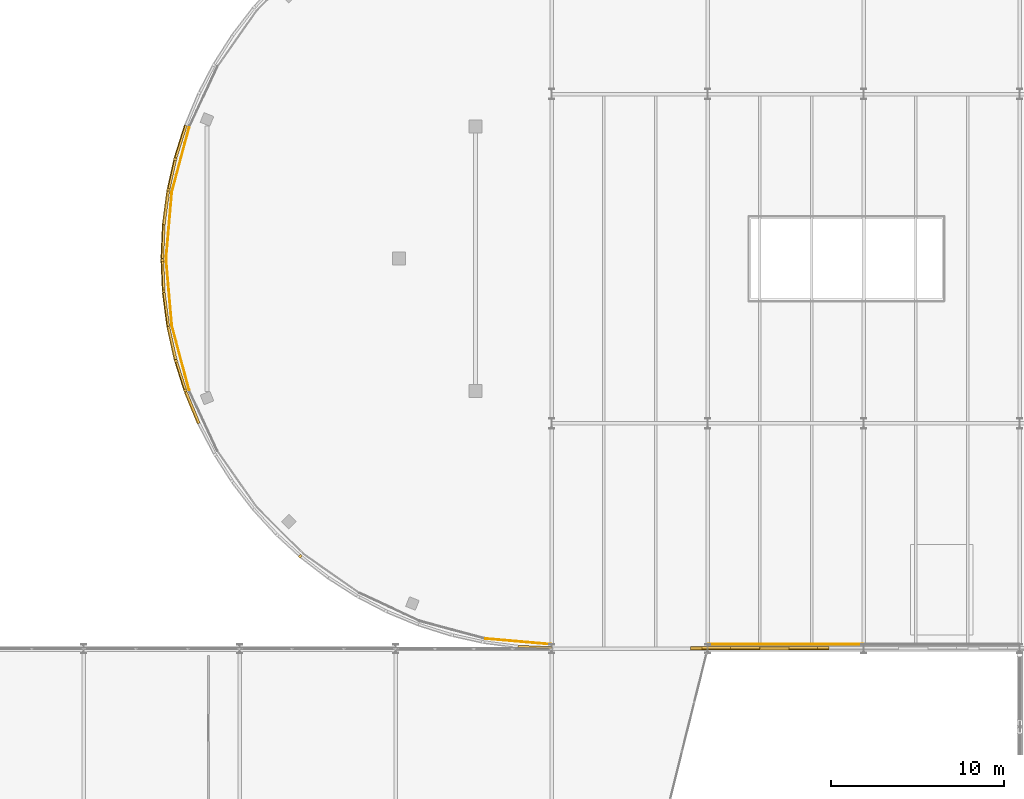
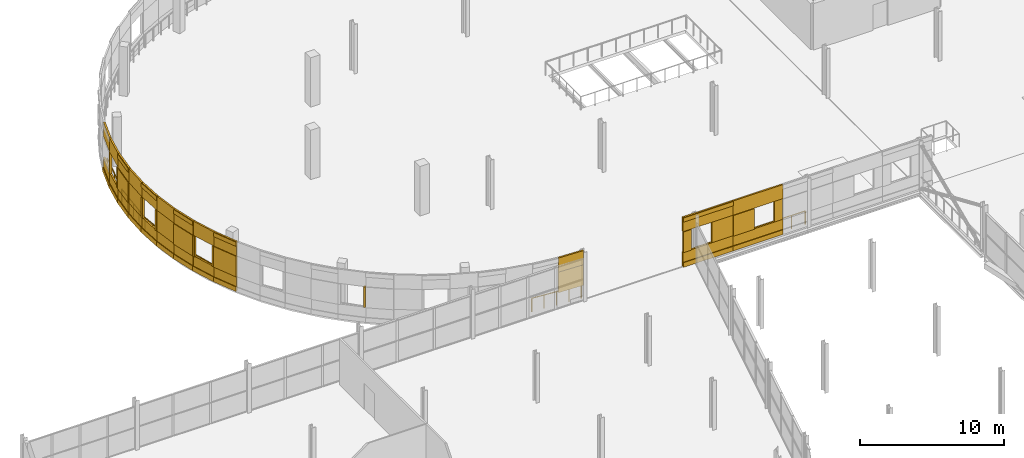
# One storey, part 121 of 132: 56 coverings, 6 railings.
"""IFC4 building model written with IfcOpenShell, lengths in metres."""

from ifc_helpers import new_model, si_unit, direction, frame, origin, origin_2d, place, context, subcontext, project, spatial, rectangle, circle, extrude, material, layer, layer_set, type_object, element, save


model = new_model("IFC4")

# Units and contexts
model_context = context("Model", 3, precision=1e-05, world=origin(), true_north=direction((0.0, 1.0)))
body_context = subcontext(model_context, "Body", "Model", "MODEL_VIEW")
ifc_project = project(units=[si_unit("LENGTHUNIT", "METRE"), si_unit("AREAUNIT", "SQUARE_METRE"), si_unit("VOLUMEUNIT", "CUBIC_METRE"), si_unit("PLANEANGLEUNIT", "RADIAN"), si_unit("MASSUNIT", "GRAM", prefix="KILO")], contexts=[model_context])

# Site, building, storey
site_placement = place(None, origin())
site = spatial("IfcSite", under=ifc_project, at=site_placement, CompositionType="ELEMENT")
building_placement = place(site_placement, origin())
building = spatial("IfcBuilding", under=site, at=building_placement, Name="Deido Ridge Mobility Hub", CompositionType="ELEMENT")
storey_placement = place(building_placement, frame((0.0, 0.0, 8.39990234375)))
storey = spatial("IfcBuildingStorey", under=building, at=storey_placement, Name="L02", CompositionType="ELEMENT", Elevation=8.39990234375)

# Coverings
ifc_material_1 = material(Name="Fired clay brick masonry", Category="masonry")
ifc_layer = layer(ifc_material_1, 0.114990234375, Name="Fired clay brick masonry")
ifc_layer_set = layer_set([ifc_layer], Name="Fired clay brick masonry")
covering_type = type_object("IfcCoveringType", Name="COV-BRK-SCREEN-115", PredefinedType="CLADDING", material=ifc_layer_set)
covering_1_placement = place(storey_placement, frame((23.61181640625, 110.24365234375, 0.0), z_axis=(0.0, 0.0, 1.0), x_axis=(-0.300672508319, -0.95372744678, 0.0)))
element("IfcCovering", 1, at=covering_1_placement, inside=storey, type_object=covering_type, Name="Open brickwork spandrel course BKS1 (L02)", PredefinedType="CLADDING", context=body_context, shape_type="SweptSolid", body=[
    extrude(rectangle(XDim=1.9619140625, YDim=0.125, at=origin_2d()), origin(), (0.0, 0.0, 1.0), 1.25),
])
covering_2_placement = place(storey_placement, frame((23.585693359375, 110.251953125, 0.000244140625), z_axis=(0.0, 0.0, 1.0), x_axis=(-0.300672508319, -0.95372744678, 0.0)))
element("IfcCovering", 2, at=covering_2_placement, inside=storey, type_object=covering_type, Name="Raised brick relief belt BKS1 (L02)", PredefinedType="CLADDING", context=body_context, shape_type="SweptSolid", body=[
    extrude(rectangle(XDim=1.9619140625, YDim=0.179931640625, at=origin_2d()), origin(), (0.0, 0.0, 1.0), 0.39990234375),
])
covering_3_placement = place(storey_placement, frame((23.61181640625, 110.24365234375, 3.0), z_axis=(0.0, 0.0, 1.0), x_axis=(-0.300672508319, -0.95372744678, 0.0)))
element("IfcCovering", 3, at=covering_3_placement, inside=storey, type_object=covering_type, Name="Open brickwork lintel course BKS1 (L02)", PredefinedType="CLADDING", context=body_context, shape_type="SweptSolid", body=[
    extrude(rectangle(XDim=1.9619140625, YDim=0.125, at=origin_2d()), origin(), (0.0, 0.0, 1.0), 1.199951171875),
])
covering_4_placement = place(storey_placement, frame((23.10546875, 108.35400390625, 0.0), z_axis=(0.0, 0.0, 1.0), x_axis=(-0.216456653485, -0.976292229387, 0.0)))
element("IfcCovering", 4, at=covering_4_placement, inside=storey, type_object=covering_type, Name="Open brickwork spandrel course BKS1 (L02)", PredefinedType="CLADDING", context=body_context, shape_type="SweptSolid", body=[
    extrude(rectangle(XDim=1.9619140625, YDim=0.125, at=origin_2d()), origin(), (0.0, 0.0, 1.0), 1.25),
])
covering_5_placement = place(storey_placement, frame((23.07861328125, 108.35986328125, 0.000244140625), z_axis=(0.0, 0.0, 1.0), x_axis=(-0.216456653485, -0.976292229387, 0.0)))
element("IfcCovering", 5, at=covering_5_placement, inside=storey, type_object=covering_type, Name="Raised brick relief belt BKS1 (L02)", PredefinedType="CLADDING", context=body_context, shape_type="SweptSolid", body=[
    extrude(rectangle(XDim=1.9619140625, YDim=0.179931640625, at=origin_2d()), origin(), (0.0, 0.0, 1.0), 0.39990234375),
])
covering_6_placement = place(storey_placement, frame((23.10546875, 108.35400390625, 3.0), z_axis=(0.0, 0.0, 1.0), x_axis=(-0.216456653485, -0.976292229387, 0.0)))
element("IfcCovering", 6, at=covering_6_placement, inside=storey, type_object=covering_type, Name="Open brickwork lintel course BKS1 (L02)", PredefinedType="CLADDING", context=body_context, shape_type="SweptSolid", body=[
    extrude(rectangle(XDim=1.9619140625, YDim=0.125, at=origin_2d()), origin(), (0.0, 0.0, 1.0), 1.199951171875),
])
for number, where, z_axis, x_axis, name in (
    (7, (23.273681640625, 109.239501953125, 1.25), (0.0, 0.0, 1.0), (-0.216456653485, -0.976292229387, 0.0), "Curved brick jamb nib BKS1 (L02)"),
    (8, (22.883544921875, 107.480224609375, 1.25), (0.0, 0.0, 1.0), (-0.216456653485, -0.976292229387, 0.0), "Curved brick jamb nib BKS1 (L02)"),
):
    element("IfcCovering", number, at=place(storey_placement, frame(where, z_axis=z_axis, x_axis=x_axis)), inside=storey, type_object=covering_type, Name=name, PredefinedType="CLADDING", context=body_context, shape_type="SweptSolid", body=[
        extrude(rectangle(XDim=0.152099609375, YDim=0.179931640625, at=origin_2d()), origin(), (0.0, 0.0, 1.0), 1.75),
    ])
covering_7_placement = place(storey_placement, frame((22.765625, 106.42724609375, 0.0), z_axis=(0.0, 0.0, 1.0), x_axis=(-0.130543496177, -0.991442583111, 0.0)))
element("IfcCovering", 9, at=covering_7_placement, inside=storey, type_object=covering_type, Name="Open brickwork spandrel course BKS1 (L02)", PredefinedType="CLADDING", context=body_context, shape_type="SweptSolid", body=[
    extrude(rectangle(XDim=1.9619140625, YDim=0.125, at=origin_2d()), origin(), (0.0, 0.0, 1.0), 1.25),
])
covering_8_placement = place(storey_placement, frame((22.73828125, 106.430908203125, 0.000244140625), z_axis=(0.0, 0.0, 1.0), x_axis=(-0.130543496177, -0.991442583111, 0.0)))
element("IfcCovering", 10, at=covering_8_placement, inside=storey, type_object=covering_type, Name="Raised brick relief belt BKS1 (L02)", PredefinedType="CLADDING", context=body_context, shape_type="SweptSolid", body=[
    extrude(rectangle(XDim=1.9619140625, YDim=0.179931640625, at=origin_2d()), origin(), (0.0, 0.0, 1.0), 0.39990234375),
])
covering_9_placement = place(storey_placement, frame((22.765625, 106.42724609375, 3.0), z_axis=(0.0, 0.0, 1.0), x_axis=(-0.130543496177, -0.991442583111, 0.0)))
element("IfcCovering", 11, at=covering_9_placement, inside=storey, type_object=covering_type, Name="Open brickwork lintel course BKS1 (L02)", PredefinedType="CLADDING", context=body_context, shape_type="SweptSolid", body=[
    extrude(rectangle(XDim=1.9619140625, YDim=0.125, at=origin_2d()), origin(), (0.0, 0.0, 1.0), 1.199951171875),
])
covering_10_placement = place(storey_placement, frame((22.73828125, 106.430908203125, 3.83984375), z_axis=(0.0, 0.0, 1.0), x_axis=(-0.130543496177, -0.991442583111, 0.0)))
element("IfcCovering", 12, at=covering_10_placement, inside=storey, type_object=covering_type, Name="Raised brick relief cornice BKS1 (L02)", PredefinedType="CLADDING", context=body_context, shape_type="SweptSolid", body=[
    extrude(rectangle(XDim=1.9619140625, YDim=0.179931640625, at=origin_2d()), origin(), (0.0, 0.0, 1.0), 0.360107421875),
])
covering_11_placement = place(storey_placement, frame((22.73828125, 106.430908203125, 1.25), z_axis=(0.0, 0.0, 1.0), x_axis=(-0.130543496177, -0.991442583111, 0.0)))
element("IfcCovering", 13, at=covering_11_placement, inside=storey, type_object=covering_type, Name="Curved raised brickwork pier BKS1 (L02)", PredefinedType="CLADDING", context=body_context, shape_type="SweptSolid", body=[
    extrude(rectangle(XDim=1.9619140625, YDim=0.179931640625, at=origin_2d()), origin(), (0.0, 0.0, 1.0), 1.75),
])
covering_12_placement = place(storey_placement, frame((22.59521484375, 104.478271484375, 0.0), z_axis=(0.0, 0.0, 1.0), x_axis=(-0.043601950678, -0.999048982732, 0.0)))
element("IfcCovering", 14, at=covering_12_placement, inside=storey, type_object=covering_type, Name="Open brickwork spandrel course BKS1 (L02)", PredefinedType="CLADDING", context=body_context, shape_type="SweptSolid", body=[
    extrude(rectangle(XDim=1.9619140625, YDim=0.125, at=origin_2d()), origin(), (0.0, 0.0, 1.0), 1.25),
])
covering_13_placement = place(storey_placement, frame((22.567626953125, 104.4794921875, 0.000244140625), z_axis=(0.0, 0.0, 1.0), x_axis=(-0.043601950678, -0.999048982732, 0.0)))
element("IfcCovering", 15, at=covering_13_placement, inside=storey, type_object=covering_type, Name="Raised brick relief belt BKS1 (L02)", PredefinedType="CLADDING", context=body_context, shape_type="SweptSolid", body=[
    extrude(rectangle(XDim=1.9619140625, YDim=0.179931640625, at=origin_2d()), origin(), (0.0, 0.0, 1.0), 0.39990234375),
])
covering_14_placement = place(storey_placement, frame((22.59521484375, 104.478271484375, 3.0), z_axis=(0.0, 0.0, 1.0), x_axis=(-0.043601950678, -0.999048982732, 0.0)))
element("IfcCovering", 16, at=covering_14_placement, inside=storey, type_object=covering_type, Name="Open brickwork lintel course BKS1 (L02)", PredefinedType="CLADDING", context=body_context, shape_type="SweptSolid", body=[
    extrude(rectangle(XDim=1.9619140625, YDim=0.125, at=origin_2d()), origin(), (0.0, 0.0, 1.0), 1.199951171875),
])
covering_15_placement = place(storey_placement, frame((22.59521484375, 104.478271484375, 1.25), z_axis=(0.0, 0.0, 1.0), x_axis=(-0.043601950678, -0.999048982732, 0.0)))
element("IfcCovering", 17, at=covering_15_placement, inside=storey, type_object=covering_type, Name="Curved raised brickwork pier BKS1 (L02)", PredefinedType="CLADDING", context=body_context, shape_type="SweptSolid", body=[
    extrude(rectangle(XDim=1.9619140625, YDim=0.125, at=origin_2d()), origin(), (0.0, 0.0, 1.0), 1.75),
])
covering_16_placement = place(storey_placement, frame((22.59521484375, 102.521728515625, 0.0), z_axis=(0.0, 0.0, 1.0), x_axis=(0.043601950678, -0.999048982732, 0.0)))
element("IfcCovering", 18, at=covering_16_placement, inside=storey, type_object=covering_type, Name="Open brickwork spandrel course BKS1 (L02)", PredefinedType="CLADDING", context=body_context, shape_type="SweptSolid", body=[
    extrude(rectangle(XDim=1.9619140625, YDim=0.125, at=origin_2d()), origin(), (0.0, 0.0, 1.0), 1.25),
])
covering_17_placement = place(storey_placement, frame((22.567626953125, 102.5205078125, 0.000244140625), z_axis=(0.0, 0.0, 1.0), x_axis=(0.043601950678, -0.999048982732, 0.0)))
element("IfcCovering", 19, at=covering_17_placement, inside=storey, type_object=covering_type, Name="Raised brick relief belt BKS1 (L02)", PredefinedType="CLADDING", context=body_context, shape_type="SweptSolid", body=[
    extrude(rectangle(XDim=1.9619140625, YDim=0.179931640625, at=origin_2d()), origin(), (0.0, 0.0, 1.0), 0.39990234375),
])
covering_18_placement = place(storey_placement, frame((22.59521484375, 102.521728515625, 3.0), z_axis=(0.0, 0.0, 1.0), x_axis=(0.043601950678, -0.999048982732, 0.0)))
element("IfcCovering", 20, at=covering_18_placement, inside=storey, type_object=covering_type, Name="Open brickwork lintel course BKS1 (L02)", PredefinedType="CLADDING", context=body_context, shape_type="SweptSolid", body=[
    extrude(rectangle(XDim=1.9619140625, YDim=0.125, at=origin_2d()), origin(), (0.0, 0.0, 1.0), 1.199951171875),
])
covering_19_placement = place(storey_placement, frame((22.567626953125, 102.5205078125, 3.83984375), z_axis=(0.0, 0.0, 1.0), x_axis=(0.043601950678, -0.999048982732, 0.0)))
element("IfcCovering", 21, at=covering_19_placement, inside=storey, type_object=covering_type, Name="Raised brick relief cornice BKS1 (L02)", PredefinedType="CLADDING", context=body_context, shape_type="SweptSolid", body=[
    extrude(rectangle(XDim=1.9619140625, YDim=0.179931640625, at=origin_2d()), origin(), (0.0, 0.0, 1.0), 0.360107421875),
])
for number, where, z_axis, x_axis, name in (
    (22, (22.5283203125, 103.4208984375, 1.25), (0.0, 0.0, 1.0), (0.043601950678, -0.999048982732, 0.0), "Curved brick jamb nib BKS1 (L02)"),
    (23, (22.60693359375, 101.620361328125, 1.25), (0.0, 0.0, 1.0), (0.043601950678, -0.999048982732, 0.0), "Curved brick jamb nib BKS1 (L02)"),
):
    element("IfcCovering", number, at=place(storey_placement, frame(where, z_axis=z_axis, x_axis=x_axis)), inside=storey, type_object=covering_type, Name=name, PredefinedType="CLADDING", context=body_context, shape_type="SweptSolid", body=[
        extrude(rectangle(XDim=0.152099609375, YDim=0.179931640625, at=origin_2d()), origin(), (0.0, 0.0, 1.0), 1.75),
    ])
covering_20_placement = place(storey_placement, frame((22.765625, 100.57275390625, 0.0), z_axis=(0.0, 0.0, 1.0), x_axis=(0.130543496177, -0.991442583111, 0.0)))
element("IfcCovering", 24, at=covering_20_placement, inside=storey, type_object=covering_type, Name="Open brickwork spandrel course BKS1 (L02)", PredefinedType="CLADDING", context=body_context, shape_type="SweptSolid", body=[
    extrude(rectangle(XDim=1.9619140625, YDim=0.125, at=origin_2d()), origin(), (0.0, 0.0, 1.0), 1.25),
])
covering_21_placement = place(storey_placement, frame((22.73828125, 100.569091796875, 0.000244140625), z_axis=(0.0, 0.0, 1.0), x_axis=(0.130543496177, -0.991442583111, 0.0)))
element("IfcCovering", 25, at=covering_21_placement, inside=storey, type_object=covering_type, Name="Raised brick relief belt BKS1 (L02)", PredefinedType="CLADDING", context=body_context, shape_type="SweptSolid", body=[
    extrude(rectangle(XDim=1.9619140625, YDim=0.179931640625, at=origin_2d()), origin(), (0.0, 0.0, 1.0), 0.39990234375),
])
covering_22_placement = place(storey_placement, frame((22.765625, 100.57275390625, 3.0), z_axis=(0.0, 0.0, 1.0), x_axis=(0.130543496177, -0.991442583111, 0.0)))
element("IfcCovering", 26, at=covering_22_placement, inside=storey, type_object=covering_type, Name="Open brickwork lintel course BKS1 (L02)", PredefinedType="CLADDING", context=body_context, shape_type="SweptSolid", body=[
    extrude(rectangle(XDim=1.9619140625, YDim=0.125, at=origin_2d()), origin(), (0.0, 0.0, 1.0), 1.199951171875),
])
covering_23_placement = place(storey_placement, frame((22.765625, 100.57275390625, 1.25), z_axis=(0.0, 0.0, 1.0), x_axis=(0.130543496177, -0.991442583111, 0.0)))
element("IfcCovering", 27, at=covering_23_placement, inside=storey, type_object=covering_type, Name="Curved raised brickwork pier BKS1 (L02)", PredefinedType="CLADDING", context=body_context, shape_type="SweptSolid", body=[
    extrude(rectangle(XDim=1.9619140625, YDim=0.125, at=origin_2d()), origin(), (0.0, 0.0, 1.0), 1.75),
])
covering_24_placement = place(storey_placement, frame((23.10546875, 98.64599609375, 0.0), z_axis=(0.0, 0.0, 1.0), x_axis=(0.216456653485, -0.976292229387, 0.0)))
element("IfcCovering", 28, at=covering_24_placement, inside=storey, type_object=covering_type, Name="Open brickwork spandrel course BKS1 (L02)", PredefinedType="CLADDING", context=body_context, shape_type="SweptSolid", body=[
    extrude(rectangle(XDim=1.9619140625, YDim=0.125, at=origin_2d()), origin(), (0.0, 0.0, 1.0), 1.25),
])
covering_25_placement = place(storey_placement, frame((23.07861328125, 98.64013671875, 0.000244140625), z_axis=(0.0, 0.0, 1.0), x_axis=(0.216456653485, -0.976292229387, 0.0)))
element("IfcCovering", 29, at=covering_25_placement, inside=storey, type_object=covering_type, Name="Raised brick relief belt BKS1 (L02)", PredefinedType="CLADDING", context=body_context, shape_type="SweptSolid", body=[
    extrude(rectangle(XDim=1.9619140625, YDim=0.179931640625, at=origin_2d()), origin(), (0.0, 0.0, 1.0), 0.39990234375),
])
covering_26_placement = place(storey_placement, frame((23.10546875, 98.64599609375, 3.0), z_axis=(0.0, 0.0, 1.0), x_axis=(0.216456653485, -0.976292229387, 0.0)))
element("IfcCovering", 30, at=covering_26_placement, inside=storey, type_object=covering_type, Name="Open brickwork lintel course BKS1 (L02)", PredefinedType="CLADDING", context=body_context, shape_type="SweptSolid", body=[
    extrude(rectangle(XDim=1.9619140625, YDim=0.125, at=origin_2d()), origin(), (0.0, 0.0, 1.0), 1.199951171875),
])
covering_27_placement = place(storey_placement, frame((23.07861328125, 98.64013671875, 3.83984375), z_axis=(0.0, 0.0, 1.0), x_axis=(0.216456653485, -0.976292229387, 0.0)))
element("IfcCovering", 31, at=covering_27_placement, inside=storey, type_object=covering_type, Name="Raised brick relief cornice BKS1 (L02)", PredefinedType="CLADDING", context=body_context, shape_type="SweptSolid", body=[
    extrude(rectangle(XDim=1.9619140625, YDim=0.179931640625, at=origin_2d()), origin(), (0.0, 0.0, 1.0), 0.360107421875),
])
covering_28_placement = place(storey_placement, frame((23.07861328125, 98.64013671875, 1.25), z_axis=(0.0, 0.0, 1.0), x_axis=(0.216456653485, -0.976292229387, 0.0)))
element("IfcCovering", 32, at=covering_28_placement, inside=storey, type_object=covering_type, Name="Curved raised brickwork pier BKS1 (L02)", PredefinedType="CLADDING", context=body_context, shape_type="SweptSolid", body=[
    extrude(rectangle(XDim=1.9619140625, YDim=0.179931640625, at=origin_2d()), origin(), (0.0, 0.0, 1.0), 1.75),
])
covering_29_placement = place(storey_placement, frame((23.61181640625, 96.75634765625, 0.0), z_axis=(0.0, 0.0, 1.0), x_axis=(0.300672508319, -0.95372744678, 0.0)))
element("IfcCovering", 33, at=covering_29_placement, inside=storey, type_object=covering_type, Name="Open brickwork spandrel course BKS1 (L02)", PredefinedType="CLADDING", context=body_context, shape_type="SweptSolid", body=[
    extrude(rectangle(XDim=1.9619140625, YDim=0.125, at=origin_2d()), origin(), (0.0, 0.0, 1.0), 1.25),
])
covering_30_placement = place(storey_placement, frame((23.585693359375, 96.748046875, 0.000244140625), z_axis=(0.0, 0.0, 1.0), x_axis=(0.300672508319, -0.95372744678, 0.0)))
element("IfcCovering", 34, at=covering_30_placement, inside=storey, type_object=covering_type, Name="Raised brick relief belt BKS1 (L02)", PredefinedType="CLADDING", context=body_context, shape_type="SweptSolid", body=[
    extrude(rectangle(XDim=1.9619140625, YDim=0.179931640625, at=origin_2d()), origin(), (0.0, 0.0, 1.0), 0.39990234375),
])
covering_31_placement = place(storey_placement, frame((23.61181640625, 96.75634765625, 3.0), z_axis=(0.0, 0.0, 1.0), x_axis=(0.300672508319, -0.95372744678, 0.0)))
element("IfcCovering", 35, at=covering_31_placement, inside=storey, type_object=covering_type, Name="Open brickwork lintel course BKS1 (L02)", PredefinedType="CLADDING", context=body_context, shape_type="SweptSolid", body=[
    extrude(rectangle(XDim=1.9619140625, YDim=0.125, at=origin_2d()), origin(), (0.0, 0.0, 1.0), 1.199951171875),
])
for number, where, z_axis, x_axis, name in (
    (36, (23.314697265625, 97.607421875, 1.25), (0.0, 0.0, 1.0), (0.300672508319, -0.95372744678, 0.0), "Curved brick jamb nib BKS1 (L02)"),
    (37, (23.8564453125, 95.888671875, 1.25), (0.0, 0.0, 1.0), (0.300672508319, -0.95372744678, 0.0), "Curved brick jamb nib BKS1 (L02)"),
):
    element("IfcCovering", number, at=place(storey_placement, frame(where, z_axis=z_axis, x_axis=x_axis)), inside=storey, type_object=covering_type, Name=name, PredefinedType="CLADDING", context=body_context, shape_type="SweptSolid", body=[
        extrude(rectangle(XDim=0.152099609375, YDim=0.179931640625, at=origin_2d()), origin(), (0.0, 0.0, 1.0), 1.75),
    ])
covering_32_placement = place(storey_placement, frame((24.281005859375, 94.91796875, 0.0), z_axis=(0.0, 0.0, 1.0), x_axis=(0.382699557047, -0.923872853285, 0.0)))
element("IfcCovering", 38, at=covering_32_placement, inside=storey, type_object=covering_type, Name="Open brickwork spandrel course BKS1 (L02)", PredefinedType="CLADDING", context=body_context, shape_type="SweptSolid", body=[
    extrude(rectangle(XDim=1.9619140625, YDim=0.125, at=origin_2d()), origin(), (0.0, 0.0, 1.0), 1.25),
])
covering_33_placement = place(storey_placement, frame((24.255615234375, 94.9072265625, 0.000244140625), z_axis=(0.0, 0.0, 1.0), x_axis=(0.382699557047, -0.923872853285, 0.0)))
element("IfcCovering", 39, at=covering_33_placement, inside=storey, type_object=covering_type, Name="Raised brick relief belt BKS1 (L02)", PredefinedType="CLADDING", context=body_context, shape_type="SweptSolid", body=[
    extrude(rectangle(XDim=1.9619140625, YDim=0.179931640625, at=origin_2d()), origin(), (0.0, 0.0, 1.0), 0.39990234375),
])
covering_34_placement = place(storey_placement, frame((24.281005859375, 94.91796875, 3.0), z_axis=(0.0, 0.0, 1.0), x_axis=(0.382699557047, -0.923872853285, 0.0)))
element("IfcCovering", 40, at=covering_34_placement, inside=storey, type_object=covering_type, Name="Open brickwork lintel course BKS1 (L02)", PredefinedType="CLADDING", context=body_context, shape_type="SweptSolid", body=[
    extrude(rectangle(XDim=1.9619140625, YDim=0.125, at=origin_2d()), origin(), (0.0, 0.0, 1.0), 1.199951171875),
])
covering_35_placement = place(storey_placement, frame((24.255615234375, 94.9072265625, 3.83984375), z_axis=(0.0, 0.0, 1.0), x_axis=(0.382699557047, -0.923872853285, 0.0)))
element("IfcCovering", 41, at=covering_35_placement, inside=storey, type_object=covering_type, Name="Raised brick relief cornice BKS1 (L02)", PredefinedType="CLADDING", context=body_context, shape_type="SweptSolid", body=[
    extrude(rectangle(XDim=1.9619140625, YDim=0.179931640625, at=origin_2d()), origin(), (0.0, 0.0, 1.0), 0.360107421875),
])
covering_36_placement = place(storey_placement, frame((24.255615234375, 94.9072265625, 1.25), z_axis=(0.0, 0.0, 1.0), x_axis=(0.382699557047, -0.923872853285, 0.0)))
element("IfcCovering", 42, at=covering_36_placement, inside=storey, type_object=covering_type, Name="Curved raised brickwork pier BKS1 (L02)", PredefinedType="CLADDING", context=body_context, shape_type="SweptSolid", body=[
    extrude(rectangle(XDim=1.9619140625, YDim=0.179931640625, at=origin_2d()), origin(), (0.0, 0.0, 1.0), 1.75),
])
covering_37_placement = place(storey_placement, frame((30.494873046875, 86.336669921875, 1.25), z_axis=(0.0, 0.0, 1.0), x_axis=(0.737289127971, -0.675577339596, 0.0)))
element("IfcCovering", 43, at=covering_37_placement, inside=storey, type_object=covering_type, Name="Curved brick jamb nib BKS1 (L02)", PredefinedType="CLADDING", context=body_context, shape_type="SweptSolid", body=[
    extrude(rectangle(XDim=0.152099609375, YDim=0.179931640625, at=origin_2d()), origin(), (0.0, 0.0, 1.0), 1.75),
])
covering_38_placement = place(storey_placement, frame((44.021728515625, 81.09521484375, 3.0), z_axis=(0.0, 0.0, 1.0), x_axis=(0.999048982732, -0.043601950678, 0.0)))
element("IfcCovering", 44, at=covering_38_placement, inside=storey, type_object=covering_type, Name="Open brickwork lintel course BKS1 (L02)", PredefinedType="CLADDING", context=body_context, shape_type="SweptSolid", body=[
    extrude(rectangle(XDim=1.9619140625, YDim=0.125, at=origin_2d()), origin(), (0.0, 0.0, 1.0), 1.199951171875),
])
covering_39_placement = place(storey_placement, frame((44.021728515625, 81.09521484375, 1.25), z_axis=(0.0, 0.0, 1.0), x_axis=(0.999048982732, -0.043601950678, 0.0)))
element("IfcCovering", 45, at=covering_39_placement, inside=storey, type_object=covering_type, Name="Curved raised brickwork pier BKS1 (L02)", PredefinedType="CLADDING", context=body_context, shape_type="SweptSolid", body=[
    extrude(rectangle(XDim=1.9619140625, YDim=0.125, at=origin_2d()), origin(), (0.0, 0.0, 1.0), 1.75),
])
covering_40_placement = place(storey_placement, frame((55.0, 81.052490234375, 0.0), z_axis=(0.0, 0.0, 1.0), x_axis=(1.0, 0.0, 0.0)))
element("IfcCovering", 46, at=covering_40_placement, inside=storey, type_object=covering_type, Name="Open brickwork spandrel course BKS1 (L02)", PredefinedType="CLADDING", context=body_context, shape_type="SweptSolid", body=[
    extrude(rectangle(XDim=4.01611328125, YDim=0.125, at=origin_2d()), origin(), (0.0, 0.0, 1.0), 1.25),
])
covering_41_placement = place(storey_placement, frame((55.0, 81.02490234375, 0.000244140625), z_axis=(0.0, 0.0, 1.0), x_axis=(1.0, 0.0, 0.0)))
element("IfcCovering", 47, at=covering_41_placement, inside=storey, type_object=covering_type, Name="Raised brick relief belt BKS1 (L02)", PredefinedType="CLADDING", context=body_context, shape_type="SweptSolid", body=[
    extrude(rectangle(XDim=4.01611328125, YDim=0.179931640625, at=origin_2d()), origin(), (0.0, 0.0, 1.0), 0.39990234375),
])
covering_42_placement = place(storey_placement, frame((55.0, 81.052490234375, 3.0), z_axis=(0.0, 0.0, 1.0), x_axis=(1.0, 0.0, 0.0)))
element("IfcCovering", 48, at=covering_42_placement, inside=storey, type_object=covering_type, Name="Open brickwork lintel course BKS1 (L02)", PredefinedType="CLADDING", context=body_context, shape_type="SweptSolid", body=[
    extrude(rectangle(XDim=4.01611328125, YDim=0.125, at=origin_2d()), origin(), (0.0, 0.0, 1.0), 1.199951171875),
])
covering_43_placement = place(storey_placement, frame((55.0, 81.02490234375, 3.83984375), z_axis=(0.0, 0.0, 1.0), x_axis=(1.0, 0.0, 0.0)))
element("IfcCovering", 49, at=covering_43_placement, inside=storey, type_object=covering_type, Name="Raised brick relief cornice BKS1 (L02)", PredefinedType="CLADDING", context=body_context, shape_type="SweptSolid", body=[
    extrude(rectangle(XDim=4.01611328125, YDim=0.179931640625, at=origin_2d()), origin(), (0.0, 0.0, 1.0), 0.360107421875),
])
covering_44_placement = place(storey_placement, frame((53.327392578125, 81.02490234375, 1.25), z_axis=(0.0, 0.0, 1.0), x_axis=(1.0, 0.0, 0.0)))
element("IfcCovering", 50, at=covering_44_placement, inside=storey, type_object=covering_type, Name="Open brickwork pier BKS1 (L02)", PredefinedType="CLADDING", context=body_context, shape_type="SweptSolid", body=[
    extrude(rectangle(XDim=0.655029296875, YDim=0.179931640625, at=origin_2d()), origin(), (0.0, 0.0, 1.0), 1.75),
])
covering_45_placement = place(storey_placement, frame((56.152587890625, 81.052490234375, 1.25), z_axis=(0.0, 0.0, 1.0), x_axis=(1.0, 0.0, 0.0)))
element("IfcCovering", 51, at=covering_45_placement, inside=storey, type_object=covering_type, Name="Open brickwork pier BKS1 (L02)", PredefinedType="CLADDING", context=body_context, shape_type="SweptSolid", body=[
    extrude(rectangle(XDim=1.695068359375, YDim=0.125, at=origin_2d()), origin(), (0.0, 0.0, 1.0), 1.75),
])
covering_46_placement = place(storey_placement, frame((59.0, 81.052490234375, 0.0), z_axis=(0.0, 0.0, 1.0), x_axis=(1.0, 0.0, 0.0)))
element("IfcCovering", 52, at=covering_46_placement, inside=storey, type_object=covering_type, Name="Open brickwork spandrel course BKS1 (L02)", PredefinedType="CLADDING", context=body_context, shape_type="SweptSolid", body=[
    extrude(rectangle(XDim=4.01611328125, YDim=0.125, at=origin_2d()), origin(), (0.0, 0.0, 1.0), 1.25),
])
covering_47_placement = place(storey_placement, frame((59.0, 81.02490234375, 0.000244140625), z_axis=(0.0, 0.0, 1.0), x_axis=(1.0, 0.0, 0.0)))
element("IfcCovering", 53, at=covering_47_placement, inside=storey, type_object=covering_type, Name="Raised brick relief belt BKS1 (L02)", PredefinedType="CLADDING", context=body_context, shape_type="SweptSolid", body=[
    extrude(rectangle(XDim=4.01611328125, YDim=0.179931640625, at=origin_2d()), origin(), (0.0, 0.0, 1.0), 0.39990234375),
])
covering_48_placement = place(storey_placement, frame((59.0, 81.052490234375, 3.0), z_axis=(0.0, 0.0, 1.0), x_axis=(1.0, 0.0, 0.0)))
element("IfcCovering", 54, at=covering_48_placement, inside=storey, type_object=covering_type, Name="Open brickwork lintel course BKS1 (L02)", PredefinedType="CLADDING", context=body_context, shape_type="SweptSolid", body=[
    extrude(rectangle(XDim=4.01611328125, YDim=0.125, at=origin_2d()), origin(), (0.0, 0.0, 1.0), 1.199951171875),
])
covering_49_placement = place(storey_placement, frame((57.847412109375, 81.02490234375, 1.25), z_axis=(0.0, 0.0, 1.0), x_axis=(1.0, 0.0, 0.0)))
element("IfcCovering", 55, at=covering_49_placement, inside=storey, type_object=covering_type, Name="Open brickwork pier BKS1 (L02)", PredefinedType="CLADDING", context=body_context, shape_type="SweptSolid", body=[
    extrude(rectangle(XDim=1.695068359375, YDim=0.179931640625, at=origin_2d()), origin(), (0.0, 0.0, 1.0), 1.75),
])
covering_50_placement = place(storey_placement, frame((60.672607421875, 81.052490234375, 1.25), z_axis=(0.0, 0.0, 1.0), x_axis=(1.0, 0.0, 0.0)))
element("IfcCovering", 56, at=covering_50_placement, inside=storey, type_object=covering_type, Name="Open brickwork pier BKS1 (L02)", PredefinedType="CLADDING", context=body_context, shape_type="SweptSolid", body=[
    extrude(rectangle(XDim=0.655029296875, YDim=0.125, at=origin_2d()), origin(), (0.0, 0.0, 1.0), 1.75),
])

# Railings
ifc_material_2 = material(Name="Galvanised steel work", Category="steel")
railing_type = type_object("IfcRailingType", Name="RL-GRD-EXT-1150", PredefinedType="GUARDRAIL", material=ifc_material_2)
railing_1_placement = place(storey_placement, frame((24.081298828125, 111.0712890625, 0.0)))
element("IfcRailing", 57, at=railing_1_placement, inside=storey, type_object=railing_type, Name="Parking drum perimeter guard (L02)", PredefinedType="GUARDRAIL", context=body_context, shape_type="SweptSolid", body=[
    extrude(circle(Radius=0.02392578125, at=origin_2d()), frame((0.0, 0.0, 1.1259765625), z_axis=(-0.258774639064, -0.965937723757, 0.0), x_axis=(0.965937723757, -0.258774639064, 0.0)), (0.0, 0.0, 1.0), 3.79833984375),
    extrude(circle(Radius=0.02099609375, at=origin_2d()), origin(), (0.0, 0.0, 1.0), 1.101806640625),
    extrude(circle(Radius=0.02099609375, at=origin_2d()), frame((-0.24560546875, -0.917236328125, 0.0)), (0.0, 0.0, 1.0), 1.101806640625),
    extrude(circle(Radius=0.02099609375, at=origin_2d()), frame((-0.491455078125, -1.83447265625, 0.0)), (0.0, 0.0, 1.0), 1.101806640625),
    extrude(circle(Radius=0.02099609375, at=origin_2d()), frame((-0.7373046875, -2.751708984375, 0.0)), (0.0, 0.0, 1.0), 1.101806640625),
    extrude(circle(Radius=0.02099609375, at=origin_2d()), frame((-0.98291015625, -3.6689453125, 0.0)), (0.0, 0.0, 1.0), 1.101806640625),
])
railing_2_placement = place(storey_placement, frame((23.08447265625, 107.323974609375, 0.0)))
element("IfcRailing", 58, at=railing_2_placement, inside=storey, type_object=railing_type, Name="Parking drum perimeter guard (L02)", PredefinedType="GUARDRAIL", context=body_context, shape_type="SweptSolid", body=[
    extrude(circle(Radius=0.02392578125, at=origin_2d()), frame((0.0, 0.0, 1.1259765625), z_axis=(-0.08715100469, -0.996195112607, 0.0), x_axis=(0.996195112607, -0.08715100469, 0.0)), (0.0, 0.0, 1.0), 3.798583984375),
    extrude(circle(Radius=0.02099609375, at=origin_2d()), origin(), (0.0, 0.0, 1.0), 1.101806640625),
    extrude(circle(Radius=0.02099609375, at=origin_2d()), frame((-0.082763671875, -0.946044921875, 0.0)), (0.0, 0.0, 1.0), 1.101806640625),
    extrude(circle(Radius=0.02099609375, at=origin_2d()), frame((-0.16552734375, -1.89208984375, 0.0)), (0.0, 0.0, 1.0), 1.101806640625),
    extrude(circle(Radius=0.02099609375, at=origin_2d()), frame((-0.248291015625, -2.838134765625, 0.0)), (0.0, 0.0, 1.0), 1.101806640625),
    extrude(circle(Radius=0.02099609375, at=origin_2d()), frame((-0.3310546875, -3.7841796875, 0.0)), (0.0, 0.0, 1.0), 1.101806640625),
])
railing_3_placement = place(storey_placement, frame((22.75341796875, 103.460205078125, 0.0)))
element("IfcRailing", 59, at=railing_3_placement, inside=storey, type_object=railing_type, Name="Parking drum perimeter guard (L02)", PredefinedType="GUARDRAIL", context=body_context, shape_type="SweptSolid", body=[
    extrude(circle(Radius=0.02392578125, at=origin_2d()), frame((0.0, 0.0, 1.1259765625), z_axis=(0.08715100469, -0.996195112607, 0.0), x_axis=(0.996195112607, 0.08715100469, 0.0)), (0.0, 0.0, 1.0), 3.798583984375),
    extrude(circle(Radius=0.02099609375, at=origin_2d()), origin(), (0.0, 0.0, 1.0), 1.101806640625),
    extrude(circle(Radius=0.02099609375, at=origin_2d()), frame((0.082763671875, -0.946044921875, 0.0)), (0.0, 0.0, 1.0), 1.101806640625),
    extrude(circle(Radius=0.02099609375, at=origin_2d()), frame((0.16552734375, -1.89208984375, 0.0)), (0.0, 0.0, 1.0), 1.101806640625),
    extrude(circle(Radius=0.02099609375, at=origin_2d()), frame((0.248291015625, -2.838134765625, 0.0)), (0.0, 0.0, 1.0), 1.101806640625),
    extrude(circle(Radius=0.02099609375, at=origin_2d()), frame((0.3310546875, -3.7841796875, 0.0)), (0.0, 0.0, 1.0), 1.101806640625),
])
railing_4_placement = place(storey_placement, frame((23.098388671875, 99.59765625, 0.0)))
element("IfcRailing", 60, at=railing_4_placement, inside=storey, type_object=railing_type, Name="Parking drum perimeter guard (L02)", PredefinedType="GUARDRAIL", context=body_context, shape_type="SweptSolid", body=[
    extrude(circle(Radius=0.02392578125, at=origin_2d()), frame((0.0, 0.0, 1.1259765625), z_axis=(0.258774639064, -0.965937723757, 0.0), x_axis=(0.965937723757, 0.258774639064, 0.0)), (0.0, 0.0, 1.0), 3.79833984375),
    extrude(circle(Radius=0.02099609375, at=origin_2d()), origin(), (0.0, 0.0, 1.0), 1.101806640625),
    extrude(circle(Radius=0.02099609375, at=origin_2d()), frame((0.24560546875, -0.917236328125, 0.0)), (0.0, 0.0, 1.0), 1.101806640625),
    extrude(circle(Radius=0.02099609375, at=origin_2d()), frame((0.491455078125, -1.83447265625, 0.0)), (0.0, 0.0, 1.0), 1.101806640625),
    extrude(circle(Radius=0.02099609375, at=origin_2d()), frame((0.7373046875, -2.751708984375, 0.0)), (0.0, 0.0, 1.0), 1.101806640625),
    extrude(circle(Radius=0.02099609375, at=origin_2d()), frame((0.98291015625, -3.6689453125, 0.0)), (0.0, 0.0, 1.0), 1.101806640625),
])
railing_5_placement = place(storey_placement, frame((41.176025390625, 81.58447265625, 0.0)))
element("IfcRailing", 61, at=railing_5_placement, inside=storey, type_object=railing_type, Name="Parking drum perimeter guard (L02)", PredefinedType="GUARDRAIL", context=body_context, shape_type="SweptSolid", body=[
    extrude(circle(Radius=0.02392578125, at=origin_2d()), frame((0.0, 0.0, 1.1259765625), z_axis=(0.996195112607, -0.08715100469, 0.0), x_axis=(0.08715100469, 0.996195112607, 0.0)), (0.0, 0.0, 1.0), 3.798583984375),
    extrude(circle(Radius=0.02099609375, at=origin_2d()), origin(), (0.0, 0.0, 1.0), 1.101806640625),
    extrude(circle(Radius=0.02099609375, at=origin_2d()), frame((0.946044921875, -0.082763671875, 0.0)), (0.0, 0.0, 1.0), 1.101806640625),
    extrude(circle(Radius=0.02099609375, at=origin_2d()), frame((1.89208984375, -0.16552734375, 0.0)), (0.0, 0.0, 1.0), 1.101806640625),
    extrude(circle(Radius=0.02099609375, at=origin_2d()), frame((2.838134765625, -0.248291015625, 0.0)), (0.0, 0.0, 1.0), 1.101806640625),
    extrude(circle(Radius=0.02099609375, at=origin_2d()), frame((3.7841796875, -0.3310546875, 0.0)), (0.0, 0.0, 1.0), 1.101806640625),
])
railing_6_placement = place(storey_placement, frame((54.0400390625, 81.25, 0.0)))
element("IfcRailing", 62, at=railing_6_placement, inside=storey, type_object=railing_type, Name="Parking drum perimeter guard (L02)", PredefinedType="GUARDRAIL", context=body_context, shape_type="SweptSolid", body=[
    extrude(circle(Radius=0.02392578125, at=origin_2d()), frame((0.0, 0.0, 1.1259765625), z_axis=(1.0, 0.0, 0.0), x_axis=(0.0, 1.0, 0.0)), (0.0, 0.0, 1.0), 8.919921875),
    extrude(circle(Radius=0.02099609375, at=origin_2d()), origin(), (0.0, 0.0, 1.0), 1.101806640625),
    extrude(circle(Radius=0.02099609375, at=origin_2d()), frame((1.114990234375, 0.0, 0.0)), (0.0, 0.0, 1.0), 1.101806640625),
    extrude(circle(Radius=0.02099609375, at=origin_2d()), frame((2.22998046875, 0.0, 0.0)), (0.0, 0.0, 1.0), 1.101806640625),
    extrude(circle(Radius=0.02099609375, at=origin_2d()), frame((3.344970703125, 0.0, 0.0)), (0.0, 0.0, 1.0), 1.101806640625),
    extrude(circle(Radius=0.02099609375, at=origin_2d()), frame((4.4599609375, 0.0, 0.0)), (0.0, 0.0, 1.0), 1.101806640625),
    extrude(circle(Radius=0.02099609375, at=origin_2d()), frame((5.574951171875, 0.0, 0.0)), (0.0, 0.0, 1.0), 1.101806640625),
    extrude(circle(Radius=0.02099609375, at=origin_2d()), frame((6.68994140625, 0.0, 0.0)), (0.0, 0.0, 1.0), 1.101806640625),
    extrude(circle(Radius=0.02099609375, at=origin_2d()), frame((7.804931640625, 0.0, 0.0)), (0.0, 0.0, 1.0), 1.101806640625),
    extrude(circle(Radius=0.02099609375, at=origin_2d()), frame((8.919921875, 0.0, 0.0)), (0.0, 0.0, 1.0), 1.101806640625),
])

save(model, "model.ifc")
